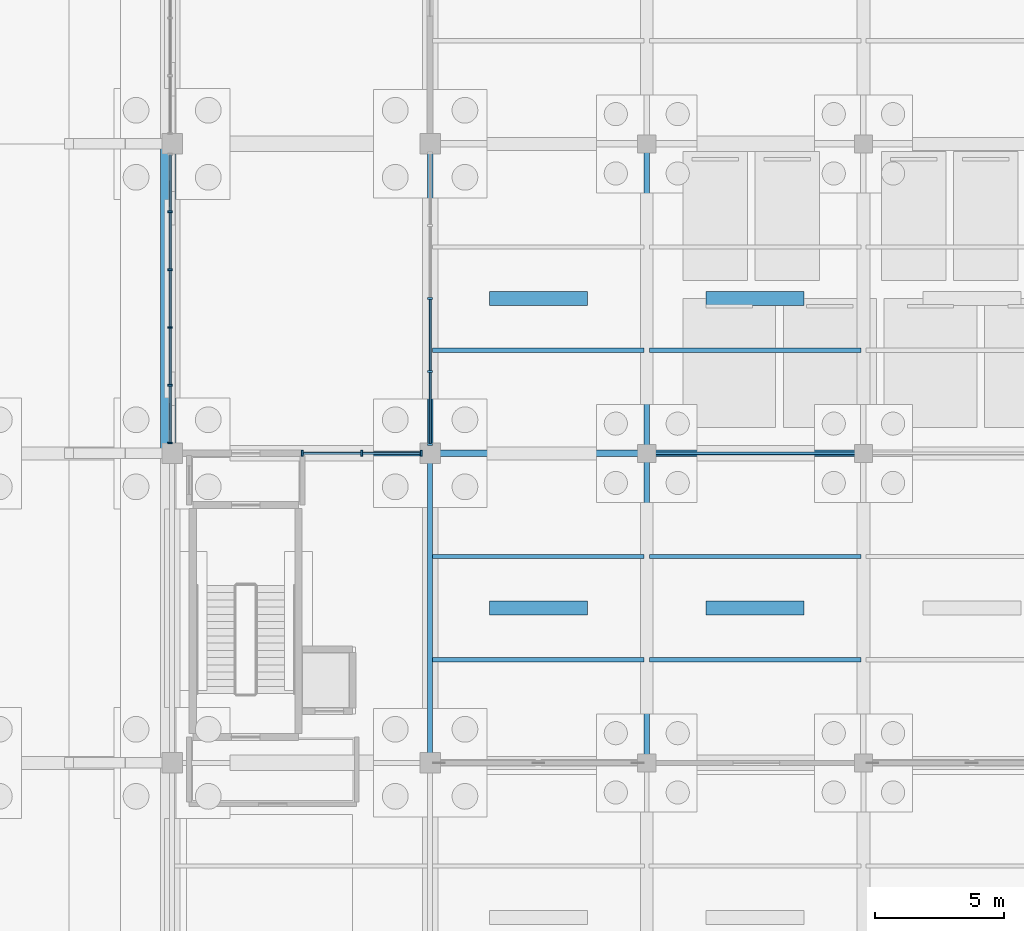
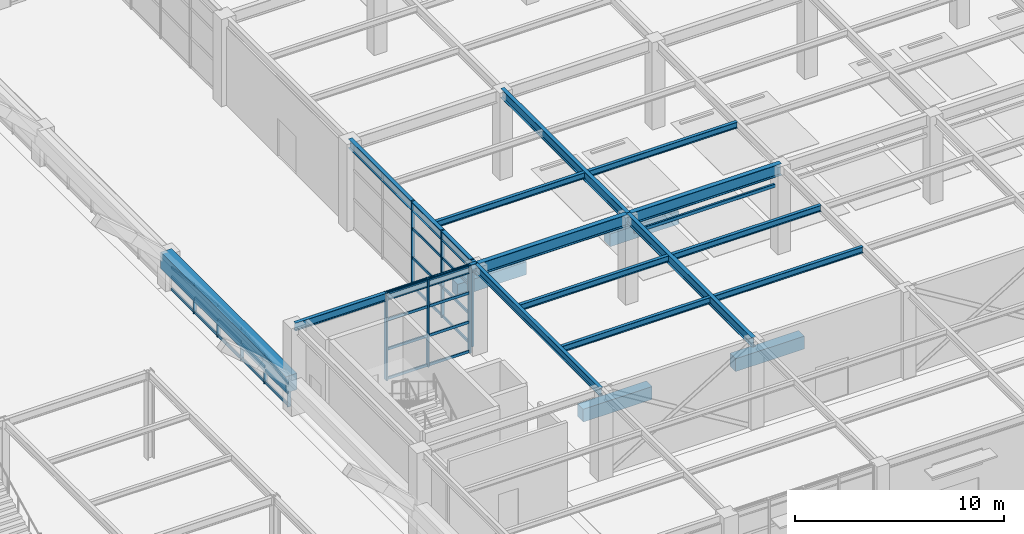
# One storey, part 49 of 129: 42 members, 19 beams, 3 elements without a shape of their own.
"""IFC4 building model written with IfcOpenShell, lengths in metres."""

from ifc_helpers import new_model, si_unit, direction, frame, origin, origin_2d, place, context, subcontext, project, spatial, rectangle, hollow_rectangle, i_section, extrude, material, layer, layer_set, material_profile, profile_set, type_object, element, aggregate, save


model = new_model("IFC4")

# Units and contexts
model_context = context("Model", 3, precision=1e-05, world=origin(), true_north=direction((0.0, 1.0)))
body_context = subcontext(model_context, "Body", "Model", "MODEL_VIEW")
ifc_project = project(units=[si_unit("LENGTHUNIT", "METRE"), si_unit("AREAUNIT", "SQUARE_METRE"), si_unit("VOLUMEUNIT", "CUBIC_METRE"), si_unit("PLANEANGLEUNIT", "RADIAN"), si_unit("MASSUNIT", "GRAM", prefix="KILO")], contexts=[model_context])

# Site, building, storey
site_placement = place(None, origin())
site = spatial("IfcSite", under=ifc_project, at=site_placement, CompositionType="ELEMENT")
building_placement = place(site_placement, origin())
building = spatial("IfcBuilding", under=site, at=building_placement, Name="Sitalva Quay Ferry Terminal", CompositionType="ELEMENT")
storey_placement = place(building_placement, origin())
storey = spatial("IfcBuildingStorey", under=building, at=storey_placement, Name="L01", CompositionType="ELEMENT", Elevation=0.0)

# Beams
ifc_material_1 = material(Name="Concrete C40/50", Category="concrete")
ifc_material_profile_1 = material_profile(ifc_material_1, rectangle(XDim=0.60009765625, YDim=0.949951171875, at=origin_2d()), Name="RC600x950")
ifc_profile_set_1 = profile_set([ifc_material_profile_1], Name="Concrete C40/50")
beam_type_1 = type_object("IfcBeamType", Name="Beam_Edge_RC600x950", PredefinedType="BEAM", material=ifc_profile_set_1)
beam_1_placement = place(storey_placement, frame((73.85009765625, 30.0, 1.625), z_axis=(0.0, 1.0, 0.0), x_axis=(-1.0, 0.0, 0.0)))
element("IfcBeam", 1, at=beam_1_placement, inside=storey, type_object=beam_type_1, Name="Vault V1 longitudinal springing edge beam E bay 3", PredefinedType="BEAM", context=body_context, shape_type="SweptSolid", body=[
    extrude(rectangle(XDim=0.60009765625, YDim=0.949951171875, at=origin_2d()), origin(), (0.0, 0.0, 1.0), 12.0),
])
ifc_material_2 = material(Name="Structural Steel S355JR", Category="steel")
ifc_material_profile_2 = material_profile(ifc_material_2, i_section(OverallWidth=0.19091796875, OverallDepth=0.4599609375, WebThickness=0.010009765625, FlangeThickness=0.01611328125, FilletRadius=0.013916015625, at=origin_2d()), Name="W460x82")
ifc_profile_set_2 = profile_set([ifc_material_profile_2], Name="Structural Steel S355JR")
beam_type_2 = type_object("IfcBeamType", Name="Beam_W460x82", PredefinedType="BEAM", material=ifc_profile_set_2)
beam_2_placement = place(storey_placement, frame((74.0, 30.0, 4.889892578125), z_axis=(1.0, 0.0, 0.0), x_axis=(0.0, 1.0, 0.0)))
element("IfcBeam", 2, at=beam_2_placement, inside=storey, type_object=beam_type_2, Name="L01 Primary X girder 0175", PredefinedType="BEAM", context=body_context, shape_type="SweptSolid", body=[
    extrude(i_section(OverallWidth=0.19091796875, OverallDepth=0.4599609375, WebThickness=0.010009765625, FlangeThickness=0.01611328125, FilletRadius=0.013916015625, at=origin_2d()), origin(), (0.0, 0.0, 1.0), 10.0),
])
beam_3_placement = place(storey_placement, frame((84.0, 18.0, 4.85009765625), z_axis=(0.0, 1.0, 0.0), x_axis=(-1.0, 0.0, 0.0)))
element("IfcBeam", 3, at=beam_3_placement, inside=storey, type_object=beam_type_2, Name="L01 Primary Y girder 0179", PredefinedType="BEAM", context=body_context, shape_type="SweptSolid", body=[
    extrude(i_section(OverallWidth=0.19091796875, OverallDepth=0.4599609375, WebThickness=0.010009765625, FlangeThickness=0.01611328125, FilletRadius=0.013916015625, at=origin_2d()), origin(), (0.0, 0.0, 1.0), 12.0),
])
ifc_material_3 = material(Name="Structural Steel S355JR", Category="steel")
ifc_material_profile_3 = material_profile(ifc_material_3, i_section(OverallWidth=0.2119140625, OverallDepth=0.5439453125, WebThickness=0.01318359375, FlangeThickness=0.021240234375, FilletRadius=0.014892578125, at=origin_2d()), Name="W530x123")
ifc_profile_set_3 = profile_set([ifc_material_profile_3], Name="Structural Steel S355JR")
beam_type_3 = type_object("IfcBeamType", Name="Girder_W530x123", PredefinedType="USERDEFINED", material=ifc_profile_set_3)
for number, where, z_axis, x_axis, name in (
    (4, (84.0, 30.0, 4.80810546875), (0.0, 1.0, 0.0), (-1.0, 0.0, 0.0), "L01 Primary Y girder 0287"),
    (5, (92.39990234375, 18.0, 4.80810546875), (0.0, 1.0, 0.0), (-1.0, 0.0, 0.0), "L01 Primary Y girder 0290"),
    (6, (92.39990234375, 30.0, 4.80810546875), (0.0, 1.0, 0.0), (-1.0, 0.0, 0.0), "L01 Primary Y girder 0291"),
):
    element("IfcBeam", number, at=place(storey_placement, frame(where, z_axis=z_axis, x_axis=x_axis)), inside=storey, type_object=beam_type_3, Name=name, ObjectType="GIRDER", PredefinedType="USERDEFINED", context=body_context, shape_type="SweptSolid", body=[
        extrude(i_section(OverallWidth=0.2119140625, OverallDepth=0.5439453125, WebThickness=0.01318359375, FlangeThickness=0.021240234375, FilletRadius=0.014892578125, at=origin_2d()), origin(), (0.0, 0.0, 1.0), 12.0),
    ])
ifc_material_4 = material(Name="Structural Steel S355JR", Category="steel")
ifc_material_profile_4 = material_profile(ifc_material_4, i_section(OverallWidth=0.256103515625, OverallDepth=0.693115234375, WebThickness=0.014404296875, FlangeThickness=0.023681640625, FilletRadius=0.01806640625, at=origin_2d()), Name="W690x170")
ifc_profile_set_4 = profile_set([ifc_material_profile_4], Name="Structural Steel S355JR")
beam_type_4 = type_object("IfcBeamType", Name="Girder_W690x170", PredefinedType="USERDEFINED", material=ifc_profile_set_4)
beam_4_placement = place(storey_placement, frame((84.0, 30.0, 4.7333984375), z_axis=(1.0, 0.0, 0.0), x_axis=(0.0, 1.0, 0.0)))
element("IfcBeam", 7, at=beam_4_placement, inside=storey, type_object=beam_type_4, Name="L01 Primary X girder 0237", ObjectType="GIRDER", PredefinedType="USERDEFINED", context=body_context, shape_type="SweptSolid", body=[
    extrude(i_section(OverallWidth=0.256103515625, OverallDepth=0.693115234375, WebThickness=0.014404296875, FlangeThickness=0.023681640625, FilletRadius=0.01806640625, at=origin_2d()), origin(), (0.0, 0.0, 1.0), 8.39990234375),
])
beam_5_placement = place(storey_placement, frame((92.39990234375, 30.0, 4.7333984375), z_axis=(1.0, 0.0, 0.0), x_axis=(0.0, 1.0, 0.0)))
element("IfcBeam", 8, at=beam_5_placement, inside=storey, type_object=beam_type_4, Name="L01 Primary X girder 0238", ObjectType="GIRDER", PredefinedType="USERDEFINED", context=body_context, shape_type="SweptSolid", body=[
    extrude(i_section(OverallWidth=0.256103515625, OverallDepth=0.693115234375, WebThickness=0.014404296875, FlangeThickness=0.023681640625, FilletRadius=0.01806640625, at=origin_2d()), origin(), (0.0, 0.0, 1.0), 8.400146484375),
])
ifc_material_5 = material(Name="Structural Steel S355JR", Category="steel")
ifc_material_profile_5 = material_profile(ifc_material_5, i_section(OverallWidth=0.172119140625, OverallDepth=0.35791015625, WebThickness=0.0078125, FlangeThickness=0.01318359375, FilletRadius=0.011962890625, at=origin_2d()), Name="W360x57")
ifc_profile_set_5 = profile_set([ifc_material_profile_5], Name="Structural Steel S355JR")
beam_type_5 = type_object("IfcBeamType", Name="Joist_W360x57", PredefinedType="JOIST", material=ifc_profile_set_5)
for number, where, z_axis, x_axis, name in (
    (9, (84.10009765625, 22.0, 4.90087890625), (1.0, 0.0, 0.0), (0.0, 1.0, 0.0), "L01 Secondary joist 0340"),
    (10, (92.5, 22.0, 4.90087890625), (1.0, 0.0, 0.0), (0.0, 1.0, 0.0), "L01 Secondary joist 0341"),
    (11, (84.10009765625, 26.0, 4.90087890625), (1.0, 0.0, 0.0), (0.0, 1.0, 0.0), "L01 Secondary joist 0349"),
    (12, (92.5, 26.0, 4.90087890625), (1.0, 0.0, 0.0), (0.0, 1.0, 0.0), "L01 Secondary joist 0350"),
    (13, (84.10009765625, 34.0, 4.90087890625), (1.0, 0.0, 0.0), (0.0, 1.0, 0.0), "L01 Secondary joist 0358"),
    (14, (92.5, 34.0, 4.90087890625), (1.0, 0.0, 0.0), (0.0, 1.0, 0.0), "L01 Secondary joist 0359"),
):
    element("IfcBeam", number, at=place(storey_placement, frame(where, z_axis=z_axis, x_axis=x_axis)), inside=storey, type_object=beam_type_5, Name=name, PredefinedType="JOIST", context=body_context, shape_type="SweptSolid", body=[
        extrude(i_section(OverallWidth=0.172119140625, OverallDepth=0.35791015625, WebThickness=0.0078125, FlangeThickness=0.01318359375, FilletRadius=0.011962890625, at=origin_2d()), origin(), (0.0, 0.0, 1.0), 8.199951171875),
    ])
ifc_material_6 = material(Name="Structural Steel S355JR", Category="steel")
ifc_material_profile_6 = material_profile(ifc_material_6, hollow_rectangle(XDim=0.1201171875, YDim=0.199951171875, WallThickness=0.008056640625, InnerFilletRadius=0.008056640625, OuterFilletRadius=0.01611328125, at=origin_2d()), Name="RHS200x120x8")
ifc_profile_set_6 = profile_set([ifc_material_profile_6], Name="Structural Steel S355JR")
beam_type_6 = type_object("IfcBeamType", Name="Lintel_RHS200x120", PredefinedType="LINTEL", material=ifc_profile_set_6)
beam_6_placement = place(storey_placement, frame((92.719970703125, 30.0, 3.85009765625), z_axis=(1.0, 0.0, 0.0), x_axis=(0.0, 1.0, 0.0)))
element("IfcBeam", 15, at=beam_6_placement, inside=storey, type_object=beam_type_6, Name="Ro-Ro clearance portal lintel 01", PredefinedType="LINTEL", context=body_context, shape_type="SweptSolid", body=[
    extrude(hollow_rectangle(XDim=0.1201171875, YDim=0.199951171875, WallThickness=0.008056640625, InnerFilletRadius=0.008056640625, OuterFilletRadius=0.01611328125, at=origin_2d()), origin(), (0.0, 0.0, 1.0), 7.760009765625),
])

# Curtain wall, members
ifc_material_7 = material(Name="Anodised Aluminium & Low-E Glazing", Category="aluminium")
ifc_layer_1 = layer(ifc_material_7, 0.159912109375)
ifc_layer_set_1 = layer_set([ifc_layer_1], Name="Anodised Aluminium & Low-E Glazing")
curtain_wall_type_1 = type_object("IfcCurtainWallType", Name="CW_VaultArch_Glazed", PredefinedType="USERDEFINED", material=ifc_layer_set_1)
curtain_wall_1_placement = place(storey_placement, origin())
curtain_wall_1 = element("IfcCurtainWall", 16, at=curtain_wall_1_placement, inside=storey, type_object=curtain_wall_type_1, Name="V1-E shallow-arch base glazing (CW-L01-030)", ObjectType="CURTAIN_WALL", PredefinedType="USERDEFINED")
ifc_material_8 = material(Name="Anodised Aluminium 6063-T6", Category="aluminium")
ifc_material_profile_7 = material_profile(ifc_material_8, rectangle(XDim=0.070068359375, YDim=0.181884765625, at=origin_2d()), Name="ALU70x182")
ifc_profile_set_7 = profile_set([ifc_material_profile_7], Name="Anodised Aluminium 6063-T6")
member_type_1 = type_object("IfcMemberType", Name="Mullion_Alu_65x170", PredefinedType="MULLION", material=ifc_profile_set_7)
member_1_placement = place(storey_placement, frame((73.919921875, 30.39990234375, 0.0), z_axis=(0.0, 0.0, 1.0), x_axis=(0.0, 1.0, 0.0)))
member_1 = element("IfcMember", 17, at=member_1_placement, type_object=member_type_1, Name="CW-L01-030-M0", PredefinedType="MULLION", context=body_context, shape_type="SweptSolid", body=[
    extrude(rectangle(XDim=0.070068359375, YDim=0.181884765625, at=origin_2d()), origin(), (0.0, 0.0, 1.0), 1.39990234375),
])
member_2_placement = place(storey_placement, frame((73.919921875, 32.639892578125, 0.0), z_axis=(0.0, 0.0, 1.0), x_axis=(0.0, 1.0, 0.0)))
member_2 = element("IfcMember", 18, at=member_2_placement, type_object=member_type_1, Name="CW-L01-030-M1", PredefinedType="MULLION", context=body_context, shape_type="SweptSolid", body=[
    extrude(rectangle(XDim=0.070068359375, YDim=0.181884765625, at=origin_2d()), origin(), (0.0, 0.0, 1.0), 1.707275390625),
])
member_3_placement = place(storey_placement, frame((73.919921875, 34.8798828125, 0.0), z_axis=(0.0, 0.0, 1.0), x_axis=(0.0, 1.0, 0.0)))
member_3 = element("IfcMember", 19, at=member_3_placement, type_object=member_type_1, Name="CW-L01-030-M2", PredefinedType="MULLION", context=body_context, shape_type="SweptSolid", body=[
    extrude(rectangle(XDim=0.070068359375, YDim=0.181884765625, at=origin_2d()), origin(), (0.0, 0.0, 1.0), 1.86083984375),
])
member_4_placement = place(storey_placement, frame((73.919921875, 37.1201171875, 0.0), z_axis=(0.0, 0.0, 1.0), x_axis=(0.0, 1.0, 0.0)))
member_4 = element("IfcMember", 20, at=member_4_placement, type_object=member_type_1, Name="CW-L01-030-M3", PredefinedType="MULLION", context=body_context, shape_type="SweptSolid", body=[
    extrude(rectangle(XDim=0.070068359375, YDim=0.181884765625, at=origin_2d()), origin(), (0.0, 0.0, 1.0), 1.86083984375),
])
member_5_placement = place(storey_placement, frame((73.919921875, 39.360107421875, 0.0), z_axis=(0.0, 0.0, 1.0), x_axis=(0.0, 1.0, 0.0)))
member_5 = element("IfcMember", 21, at=member_5_placement, type_object=member_type_1, Name="CW-L01-030-M4", PredefinedType="MULLION", context=body_context, shape_type="SweptSolid", body=[
    extrude(rectangle(XDim=0.070068359375, YDim=0.181884765625, at=origin_2d()), origin(), (0.0, 0.0, 1.0), 1.707275390625),
])

ifc_material_9 = material(Name="Anodised Aluminium & Low-E Glazing", Category="aluminium")
ifc_layer_2 = layer(ifc_material_9, 0.159912109375)
ifc_layer_set_2 = layer_set([ifc_layer_2], Name="Anodised Aluminium & Low-E Glazing")
curtain_wall_type_2 = type_object("IfcCurtainWallType", Name="CW_Podium_Stick", PredefinedType="USERDEFINED", material=ifc_layer_set_2)
curtain_wall_2_placement = place(storey_placement, origin())
curtain_wall_2 = element("IfcCurtainWall", 22, at=curtain_wall_2_placement, inside=storey, type_object=curtain_wall_type_2, Name="L01 east monsoon court south glazing (CW-L01-074)", ObjectType="CURTAIN_WALL", PredefinedType="USERDEFINED")
ifc_material_10 = material(Name="Anodised Aluminium 6063-T6", Category="aluminium")
ifc_material_profile_8 = material_profile(ifc_material_10, rectangle(XDim=0.074951171875, YDim=0.219970703125, at=origin_2d()), Name="ALU75x220")
ifc_profile_set_8 = profile_set([ifc_material_profile_8], Name="Anodised Aluminium 6063-T6")
member_type_2 = type_object("IfcMemberType", Name="Mullion_Alu_75x160", PredefinedType="MULLION", material=ifc_profile_set_8)
member_6_placement = place(storey_placement, frame((79.050048828125, 30.0, 0.0), z_axis=(0.0, 0.0, 1.0), x_axis=(1.0, 0.0, 0.0)))
member_6 = element("IfcMember", 23, at=member_6_placement, type_object=member_type_2, Name="CW-L01-074-M0", PredefinedType="MULLION", context=body_context, shape_type="SweptSolid", body=[
    extrude(rectangle(XDim=0.074951171875, YDim=0.219970703125, at=origin_2d()), origin(), (0.0, 0.0, 1.0), 5.1201171875),
])
member_7_placement = place(storey_placement, frame((81.35009765625, 30.0, 0.0), z_axis=(0.0, 0.0, 1.0), x_axis=(1.0, 0.0, 0.0)))
member_7 = element("IfcMember", 24, at=member_7_placement, type_object=member_type_2, Name="CW-L01-074-M1", PredefinedType="MULLION", context=body_context, shape_type="SweptSolid", body=[
    extrude(rectangle(XDim=0.074951171875, YDim=0.219970703125, at=origin_2d()), origin(), (0.0, 0.0, 1.0), 5.1201171875),
])
member_8_placement = place(storey_placement, frame((83.64990234375, 30.0, 0.0), z_axis=(0.0, 0.0, 1.0), x_axis=(1.0, 0.0, 0.0)))
member_8 = element("IfcMember", 25, at=member_8_placement, type_object=member_type_2, Name="CW-L01-074-M2", PredefinedType="MULLION", context=body_context, shape_type="SweptSolid", body=[
    extrude(rectangle(XDim=0.074951171875, YDim=0.219970703125, at=origin_2d()), origin(), (0.0, 0.0, 1.0), 5.1201171875),
])

ifc_material_11 = material(Name="Anodised Aluminium & Low-E Glazing", Category="aluminium")
ifc_layer_3 = layer(ifc_material_11, 0.159912109375)
ifc_layer_set_3 = layer_set([ifc_layer_3], Name="Anodised Aluminium & Low-E Glazing")
curtain_wall_type_3 = type_object("IfcCurtainWallType", Name="CW_Coastal_Louvred", PredefinedType="USERDEFINED", material=ifc_layer_set_3)
curtain_wall_3_placement = place(storey_placement, origin())
curtain_wall_3 = element("IfcCurtainWall", 26, at=curtain_wall_3_placement, inside=storey, type_object=curtain_wall_type_3, Name="L01 east court louvred wall (CW-L01-076)", ObjectType="CURTAIN_WALL", PredefinedType="USERDEFINED")
ifc_material_12 = material(Name="Anodised Aluminium 6063-T6", Category="aluminium")
ifc_material_profile_9 = material_profile(ifc_material_12, rectangle(XDim=0.080078125, YDim=0.18505859375, at=origin_2d()), Name="ALU80x185")
ifc_profile_set_9 = profile_set([ifc_material_profile_9], Name="Anodised Aluminium 6063-T6")
member_type_3 = type_object("IfcMemberType", Name="Mullion_Alu_80x185", PredefinedType="MULLION", material=ifc_profile_set_9)
member_9_placement = place(storey_placement, frame((84.0, 30.35009765625, 0.0), z_axis=(0.0, 0.0, 1.0), x_axis=(0.0, 1.0, 0.0)))
member_9 = element("IfcMember", 27, at=member_9_placement, type_object=member_type_3, Name="CW-L01-076-M0", PredefinedType="MULLION", context=body_context, shape_type="SweptSolid", body=[
    extrude(rectangle(XDim=0.080078125, YDim=0.18505859375, at=origin_2d()), origin(), (0.0, 0.0, 1.0), 5.080078125),
])
member_10_placement = place(storey_placement, frame((84.0, 33.175048828125, 0.0), z_axis=(0.0, 0.0, 1.0), x_axis=(0.0, 1.0, 0.0)))
member_10 = element("IfcMember", 28, at=member_10_placement, type_object=member_type_3, Name="CW-L01-076-M1", PredefinedType="MULLION", context=body_context, shape_type="SweptSolid", body=[
    extrude(rectangle(XDim=0.080078125, YDim=0.18505859375, at=origin_2d()), origin(), (0.0, 0.0, 1.0), 5.080078125),
])
member_11_placement = place(storey_placement, frame((84.0, 36.0, 0.0), z_axis=(0.0, 0.0, 1.0), x_axis=(0.0, 1.0, 0.0)))
member_11 = element("IfcMember", 29, at=member_11_placement, type_object=member_type_3, Name="CW-L01-076-M2", PredefinedType="MULLION", context=body_context, shape_type="SweptSolid", body=[
    extrude(rectangle(XDim=0.080078125, YDim=0.18505859375, at=origin_2d()), origin(), (0.0, 0.0, 1.0), 5.080078125),
])

# Beams
ifc_material_13 = material(Name="Concrete C35/45", Category="concrete")
ifc_material_profile_10 = material_profile(ifc_material_13, rectangle(XDim=0.550048828125, YDim=0.75, at=origin_2d()), Name="RC550x750")
ifc_profile_set_10 = profile_set([ifc_material_profile_10], Name="Concrete C35/45")
beam_type_7 = type_object("IfcBeamType", Name="TBeam_Quay_RC550x750", PredefinedType="T_BEAM", material=ifc_profile_set_10)
for number, where, z_axis, x_axis, name in (
    (30, (86.300048828125, 24.0, -0.824951171875), (1.0, 0.0, 0.0), (0.0, 1.0, 0.0), "L01 Ro-Ro quay deck T-beam 0051"),
    (31, (94.699951171875, 24.0, -0.824951171875), (1.0, 0.0, 0.0), (0.0, 1.0, 0.0), "L01 Ro-Ro quay deck T-beam 0052"),
    (32, (86.300048828125, 36.0, -0.824951171875), (1.0, 0.0, 0.0), (0.0, 1.0, 0.0), "L01 Ro-Ro quay deck T-beam 0063"),
    (33, (94.699951171875, 36.0, -0.824951171875), (1.0, 0.0, 0.0), (0.0, 1.0, 0.0), "L01 Ro-Ro quay deck T-beam 0064"),
):
    element("IfcBeam", number, at=place(storey_placement, frame(where, z_axis=z_axis, x_axis=x_axis)), inside=storey, type_object=beam_type_7, Name=name, PredefinedType="T_BEAM", context=body_context, shape_type="SweptSolid", body=[
        extrude(rectangle(XDim=0.550048828125, YDim=0.75, at=origin_2d()), origin(), (0.0, 0.0, 1.0), 3.800048828125),
    ])

# Member
ifc_material_14 = material(Name="Anodised Aluminium 6063-T6", Category="aluminium")
ifc_material_profile_11 = material_profile(ifc_material_14, rectangle(XDim=0.074951171875, YDim=0.155029296875, at=origin_2d()), Name="ALU75x155")
ifc_profile_set_11 = profile_set([ifc_material_profile_11], Name="Anodised Aluminium 6063-T6")
member_type_4 = type_object("IfcMemberType", Name="Transom_Alu_70x135", PredefinedType="MULLION", material=ifc_profile_set_11)
member_12_placement = place(storey_placement, frame((73.919921875, 30.43505859375, 0.077392578125), z_axis=(0.0, 1.0, 0.0), x_axis=(-1.0, 0.0, 0.0)))
member_12 = element("IfcMember", 34, at=member_12_placement, type_object=member_type_4, Name="CW-L01-030-T0-0", ObjectType="TRANSOM", PredefinedType="USERDEFINED", context=body_context, shape_type="SweptSolid", body=[
    extrude(rectangle(XDim=0.074951171875, YDim=0.155029296875, at=origin_2d()), origin(), (0.0, 0.0, 1.0), 2.169921875),
])

member_13_placement = place(storey_placement, frame((73.919921875, 30.43505859375, 0.777587890625), z_axis=(0.0, 1.0, 0.0), x_axis=(-1.0, 0.0, 0.0)))
member_13 = element("IfcMember", 35, at=member_13_placement, type_object=member_type_4, Name="CW-L01-030-T0-1", ObjectType="TRANSOM", PredefinedType="USERDEFINED", context=body_context, shape_type="SweptSolid", body=[
    extrude(rectangle(XDim=0.074951171875, YDim=0.155029296875, at=origin_2d()), origin(), (0.0, 0.0, 1.0), 2.169921875),
])

member_14_placement = place(storey_placement, frame((73.919921875, 30.43505859375, 1.322509765625), z_axis=(0.0, 0.990131365095, 0.140142355681), x_axis=(-1.0, 0.0, 0.0)))
member_14 = element("IfcMember", 36, at=member_14_placement, type_object=member_type_4, Name="CW-L01-030-T0-2", ObjectType="TRANSOM", PredefinedType="USERDEFINED", context=body_context, shape_type="SweptSolid", body=[
    extrude(rectangle(XDim=0.074951171875, YDim=0.155029296875, at=origin_2d()), origin(), (0.0, 0.0, 1.0), 2.191650390625),
])

member_15_placement = place(storey_placement, frame((73.919921875, 32.675048828125, 0.077392578125), z_axis=(0.0, 1.0, 0.0), x_axis=(-1.0, 0.0, 0.0)))
member_15 = element("IfcMember", 37, at=member_15_placement, type_object=member_type_4, Name="CW-L01-030-T1-0", ObjectType="TRANSOM", PredefinedType="USERDEFINED", context=body_context, shape_type="SweptSolid", body=[
    extrude(rectangle(XDim=0.074951171875, YDim=0.155029296875, at=origin_2d()), origin(), (0.0, 0.0, 1.0), 2.169921875),
])

member_16_placement = place(storey_placement, frame((73.919921875, 32.675048828125, 0.93115234375), z_axis=(0.0, 1.0, 0.0), x_axis=(-1.0, 0.0, 0.0)))
member_16 = element("IfcMember", 38, at=member_16_placement, type_object=member_type_4, Name="CW-L01-030-T1-1", ObjectType="TRANSOM", PredefinedType="USERDEFINED", context=body_context, shape_type="SweptSolid", body=[
    extrude(rectangle(XDim=0.074951171875, YDim=0.155029296875, at=origin_2d()), origin(), (0.0, 0.0, 1.0), 2.169921875),
])

member_17_placement = place(storey_placement, frame((73.919921875, 32.675048828125, 1.629638671875), z_axis=(0.0, 0.997505200677, 0.070593021065), x_axis=(-1.0, 0.0, 0.0)))
member_17 = element("IfcMember", 39, at=member_17_placement, type_object=member_type_4, Name="CW-L01-030-T1-2", ObjectType="TRANSOM", PredefinedType="USERDEFINED", context=body_context, shape_type="SweptSolid", body=[
    extrude(rectangle(XDim=0.074951171875, YDim=0.155029296875, at=origin_2d()), origin(), (0.0, 0.0, 1.0), 2.17529296875),
])

member_18_placement = place(storey_placement, frame((73.919921875, 34.9150390625, 0.077392578125), z_axis=(0.0, 1.0, 0.0), x_axis=(-1.0, 0.0, 0.0)))
member_18 = element("IfcMember", 40, at=member_18_placement, type_object=member_type_4, Name="CW-L01-030-T2-0", ObjectType="TRANSOM", PredefinedType="USERDEFINED", context=body_context, shape_type="SweptSolid", body=[
    extrude(rectangle(XDim=0.074951171875, YDim=0.155029296875, at=origin_2d()), origin(), (0.0, 0.0, 1.0), 2.169921875),
])

member_19_placement = place(storey_placement, frame((73.919921875, 34.9150390625, 1.0078125), z_axis=(0.0, 1.0, 0.0), x_axis=(-1.0, 0.0, 0.0)))
member_19 = element("IfcMember", 41, at=member_19_placement, type_object=member_type_4, Name="CW-L01-030-T2-1", ObjectType="TRANSOM", PredefinedType="USERDEFINED", context=body_context, shape_type="SweptSolid", body=[
    extrude(rectangle(XDim=0.074951171875, YDim=0.155029296875, at=origin_2d()), origin(), (0.0, 0.0, 1.0), 2.169921875),
])

member_20_placement = place(storey_placement, frame((73.919921875, 34.9150390625, 1.783203125), z_axis=(0.0, 1.0, 0.0), x_axis=(-1.0, 0.0, 0.0)))
member_20 = element("IfcMember", 42, at=member_20_placement, type_object=member_type_4, Name="CW-L01-030-T2-2", ObjectType="TRANSOM", PredefinedType="USERDEFINED", context=body_context, shape_type="SweptSolid", body=[
    extrude(rectangle(XDim=0.074951171875, YDim=0.155029296875, at=origin_2d()), origin(), (0.0, 0.0, 1.0), 2.169921875),
])

member_21_placement = place(storey_placement, frame((73.919921875, 37.155029296875, 0.077392578125), z_axis=(0.0, 1.0, 0.0), x_axis=(-1.0, 0.0, 0.0)))
member_21 = element("IfcMember", 43, at=member_21_placement, type_object=member_type_4, Name="CW-L01-030-T3-0", ObjectType="TRANSOM", PredefinedType="USERDEFINED", context=body_context, shape_type="SweptSolid", body=[
    extrude(rectangle(XDim=0.074951171875, YDim=0.155029296875, at=origin_2d()), origin(), (0.0, 0.0, 1.0), 2.169921875),
])

member_22_placement = place(storey_placement, frame((73.919921875, 37.155029296875, 0.93115234375), z_axis=(0.0, 1.0, 0.0), x_axis=(-1.0, 0.0, 0.0)))
member_22 = element("IfcMember", 44, at=member_22_placement, type_object=member_type_4, Name="CW-L01-030-T3-1", ObjectType="TRANSOM", PredefinedType="USERDEFINED", context=body_context, shape_type="SweptSolid", body=[
    extrude(rectangle(XDim=0.074951171875, YDim=0.155029296875, at=origin_2d()), origin(), (0.0, 0.0, 1.0), 2.169921875),
])

member_23_placement = place(storey_placement, frame((73.919921875, 37.155029296875, 1.783203125), z_axis=(0.0, 0.997505200677, -0.070593021065), x_axis=(-1.0, 0.0, 0.0)))
member_23 = element("IfcMember", 45, at=member_23_placement, type_object=member_type_4, Name="CW-L01-030-T3-2", ObjectType="TRANSOM", PredefinedType="USERDEFINED", context=body_context, shape_type="SweptSolid", body=[
    extrude(rectangle(XDim=0.074951171875, YDim=0.155029296875, at=origin_2d()), origin(), (0.0, 0.0, 1.0), 2.17529296875),
])

member_24_placement = place(storey_placement, frame((73.919921875, 39.39501953125, 0.077392578125), z_axis=(0.0, 1.0, 0.0), x_axis=(-1.0, 0.0, 0.0)))
member_24 = element("IfcMember", 46, at=member_24_placement, type_object=member_type_4, Name="CW-L01-030-T4-0", ObjectType="TRANSOM", PredefinedType="USERDEFINED", context=body_context, shape_type="SweptSolid", body=[
    extrude(rectangle(XDim=0.074951171875, YDim=0.155029296875, at=origin_2d()), origin(), (0.0, 0.0, 1.0), 2.169921875),
])

member_25_placement = place(storey_placement, frame((73.919921875, 39.39501953125, 0.777587890625), z_axis=(0.0, 1.0, 0.0), x_axis=(-1.0, 0.0, 0.0)))
member_25 = element("IfcMember", 47, at=member_25_placement, type_object=member_type_4, Name="CW-L01-030-T4-1", ObjectType="TRANSOM", PredefinedType="USERDEFINED", context=body_context, shape_type="SweptSolid", body=[
    extrude(rectangle(XDim=0.074951171875, YDim=0.155029296875, at=origin_2d()), origin(), (0.0, 0.0, 1.0), 2.169921875),
])

member_26_placement = place(storey_placement, frame((73.919921875, 39.39501953125, 1.629638671875), z_axis=(0.0, 0.990131365095, -0.140142355681), x_axis=(-1.0, 0.0, 0.0)))
member_26 = element("IfcMember", 48, at=member_26_placement, type_object=member_type_4, Name="CW-L01-030-T4-2", ObjectType="TRANSOM", PredefinedType="USERDEFINED", context=body_context, shape_type="SweptSolid", body=[
    extrude(rectangle(XDim=0.074951171875, YDim=0.155029296875, at=origin_2d()), origin(), (0.0, 0.0, 1.0), 2.191650390625),
])

aggregate(curtain_wall_1, [member_1, member_2, member_3, member_4, member_5, member_12, member_13, member_14, member_15, member_16, member_17, member_18, member_19, member_20, member_21, member_22, member_23, member_24, member_25, member_26])

member_27_placement = place(storey_placement, frame((79.08740234375, 30.0, 0.077392578125), z_axis=(1.0, 0.0, 0.0), x_axis=(0.0, 1.0, 0.0)))
member_27 = element("IfcMember", 49, at=member_27_placement, type_object=member_type_4, Name="CW-L01-074-T0-0", ObjectType="TRANSOM", PredefinedType="USERDEFINED", context=body_context, shape_type="SweptSolid", body=[
    extrude(rectangle(XDim=0.074951171875, YDim=0.155029296875, at=origin_2d()), origin(), (0.0, 0.0, 1.0), 2.22509765625),
])

member_28_placement = place(storey_placement, frame((79.08740234375, 30.0, 1.7841796875), z_axis=(1.0, 0.0, 0.0), x_axis=(0.0, 1.0, 0.0)))
member_28 = element("IfcMember", 50, at=member_28_placement, type_object=member_type_4, Name="CW-L01-074-T0-1", ObjectType="TRANSOM", PredefinedType="USERDEFINED", context=body_context, shape_type="SweptSolid", body=[
    extrude(rectangle(XDim=0.074951171875, YDim=0.155029296875, at=origin_2d()), origin(), (0.0, 0.0, 1.0), 2.22509765625),
])

member_29_placement = place(storey_placement, frame((79.08740234375, 30.0, 3.49072265625), z_axis=(1.0, 0.0, 0.0), x_axis=(0.0, 1.0, 0.0)))
member_29 = element("IfcMember", 51, at=member_29_placement, type_object=member_type_4, Name="CW-L01-074-T0-2", ObjectType="TRANSOM", PredefinedType="USERDEFINED", context=body_context, shape_type="SweptSolid", body=[
    extrude(rectangle(XDim=0.074951171875, YDim=0.155029296875, at=origin_2d()), origin(), (0.0, 0.0, 1.0), 2.22509765625),
])

member_30_placement = place(storey_placement, frame((79.08740234375, 30.0, 5.04248046875), z_axis=(1.0, 0.0, 0.0), x_axis=(0.0, 1.0, 0.0)))
member_30 = element("IfcMember", 52, at=member_30_placement, type_object=member_type_4, Name="CW-L01-074-T0-3", ObjectType="TRANSOM", PredefinedType="USERDEFINED", context=body_context, shape_type="SweptSolid", body=[
    extrude(rectangle(XDim=0.074951171875, YDim=0.155029296875, at=origin_2d()), origin(), (0.0, 0.0, 1.0), 2.22509765625),
])

member_31_placement = place(storey_placement, frame((81.387451171875, 30.0, 0.077392578125), z_axis=(1.0, 0.0, 0.0), x_axis=(0.0, 1.0, 0.0)))
member_31 = element("IfcMember", 53, at=member_31_placement, type_object=member_type_4, Name="CW-L01-074-T1-0", ObjectType="TRANSOM", PredefinedType="USERDEFINED", context=body_context, shape_type="SweptSolid", body=[
    extrude(rectangle(XDim=0.074951171875, YDim=0.155029296875, at=origin_2d()), origin(), (0.0, 0.0, 1.0), 2.22509765625),
])

member_32_placement = place(storey_placement, frame((81.387451171875, 30.0, 1.7841796875), z_axis=(1.0, 0.0, 0.0), x_axis=(0.0, 1.0, 0.0)))
member_32 = element("IfcMember", 54, at=member_32_placement, type_object=member_type_4, Name="CW-L01-074-T1-1", ObjectType="TRANSOM", PredefinedType="USERDEFINED", context=body_context, shape_type="SweptSolid", body=[
    extrude(rectangle(XDim=0.074951171875, YDim=0.155029296875, at=origin_2d()), origin(), (0.0, 0.0, 1.0), 2.22509765625),
])

member_33_placement = place(storey_placement, frame((81.387451171875, 30.0, 3.49072265625), z_axis=(1.0, 0.0, 0.0), x_axis=(0.0, 1.0, 0.0)))
member_33 = element("IfcMember", 55, at=member_33_placement, type_object=member_type_4, Name="CW-L01-074-T1-2", ObjectType="TRANSOM", PredefinedType="USERDEFINED", context=body_context, shape_type="SweptSolid", body=[
    extrude(rectangle(XDim=0.074951171875, YDim=0.155029296875, at=origin_2d()), origin(), (0.0, 0.0, 1.0), 2.22509765625),
])

member_34_placement = place(storey_placement, frame((81.387451171875, 30.0, 5.04248046875), z_axis=(1.0, 0.0, 0.0), x_axis=(0.0, 1.0, 0.0)))
member_34 = element("IfcMember", 56, at=member_34_placement, type_object=member_type_4, Name="CW-L01-074-T1-3", ObjectType="TRANSOM", PredefinedType="USERDEFINED", context=body_context, shape_type="SweptSolid", body=[
    extrude(rectangle(XDim=0.074951171875, YDim=0.155029296875, at=origin_2d()), origin(), (0.0, 0.0, 1.0), 2.22509765625),
])

aggregate(curtain_wall_2, [member_6, member_7, member_8, member_27, member_28, member_29, member_30, member_31, member_32, member_33, member_34])

ifc_material_15 = material(Name="Anodised Aluminium 6063-T6", Category="aluminium")
ifc_material_profile_12 = material_profile(ifc_material_15, rectangle(XDim=0.074951171875, YDim=0.14990234375, at=origin_2d()), Name="ALU75x150")
ifc_profile_set_12 = profile_set([ifc_material_profile_12], Name="Anodised Aluminium 6063-T6")
member_type_5 = type_object("IfcMemberType", Name="Transom_Alu_75x140", PredefinedType="MULLION", material=ifc_profile_set_12)
member_35_placement = place(storey_placement, frame((84.0, 30.389892578125, 0.074951171875), z_axis=(0.0, 1.0, 0.0), x_axis=(-1.0, 0.0, 0.0)))
member_35 = element("IfcMember", 57, at=member_35_placement, type_object=member_type_5, Name="CW-L01-076-T0-0", ObjectType="TRANSOM", PredefinedType="USERDEFINED", context=body_context, shape_type="SweptSolid", body=[
    extrude(rectangle(XDim=0.074951171875, YDim=0.14990234375, at=origin_2d()), origin(), (0.0, 0.0, 1.0), 2.7451171875),
])

member_36_placement = place(storey_placement, frame((84.0, 30.389892578125, 1.768310546875), z_axis=(0.0, 1.0, 0.0), x_axis=(-1.0, 0.0, 0.0)))
member_36 = element("IfcMember", 58, at=member_36_placement, type_object=member_type_5, Name="CW-L01-076-T0-1", ObjectType="TRANSOM", PredefinedType="USERDEFINED", context=body_context, shape_type="SweptSolid", body=[
    extrude(rectangle(XDim=0.074951171875, YDim=0.14990234375, at=origin_2d()), origin(), (0.0, 0.0, 1.0), 2.7451171875),
])

member_37_placement = place(storey_placement, frame((84.0, 30.389892578125, 3.461669921875), z_axis=(0.0, 1.0, 0.0), x_axis=(-1.0, 0.0, 0.0)))
member_37 = element("IfcMember", 59, at=member_37_placement, type_object=member_type_5, Name="CW-L01-076-T0-2", ObjectType="TRANSOM", PredefinedType="USERDEFINED", context=body_context, shape_type="SweptSolid", body=[
    extrude(rectangle(XDim=0.074951171875, YDim=0.14990234375, at=origin_2d()), origin(), (0.0, 0.0, 1.0), 2.7451171875),
])

member_38_placement = place(storey_placement, frame((84.0, 30.389892578125, 5.0048828125), z_axis=(0.0, 1.0, 0.0), x_axis=(-1.0, 0.0, 0.0)))
member_38 = element("IfcMember", 60, at=member_38_placement, type_object=member_type_5, Name="CW-L01-076-T0-3", ObjectType="TRANSOM", PredefinedType="USERDEFINED", context=body_context, shape_type="SweptSolid", body=[
    extrude(rectangle(XDim=0.074951171875, YDim=0.14990234375, at=origin_2d()), origin(), (0.0, 0.0, 1.0), 2.7451171875),
])

member_39_placement = place(storey_placement, frame((84.0, 33.215087890625, 0.074951171875), z_axis=(0.0, 1.0, 0.0), x_axis=(-1.0, 0.0, 0.0)))
member_39 = element("IfcMember", 61, at=member_39_placement, type_object=member_type_5, Name="CW-L01-076-T1-0", ObjectType="TRANSOM", PredefinedType="USERDEFINED", context=body_context, shape_type="SweptSolid", body=[
    extrude(rectangle(XDim=0.074951171875, YDim=0.14990234375, at=origin_2d()), origin(), (0.0, 0.0, 1.0), 2.744873046875),
])

member_40_placement = place(storey_placement, frame((84.0, 33.215087890625, 1.768310546875), z_axis=(0.0, 1.0, 0.0), x_axis=(-1.0, 0.0, 0.0)))
member_40 = element("IfcMember", 62, at=member_40_placement, type_object=member_type_5, Name="CW-L01-076-T1-1", ObjectType="TRANSOM", PredefinedType="USERDEFINED", context=body_context, shape_type="SweptSolid", body=[
    extrude(rectangle(XDim=0.074951171875, YDim=0.14990234375, at=origin_2d()), origin(), (0.0, 0.0, 1.0), 2.744873046875),
])

member_41_placement = place(storey_placement, frame((84.0, 33.215087890625, 3.461669921875), z_axis=(0.0, 1.0, 0.0), x_axis=(-1.0, 0.0, 0.0)))
member_41 = element("IfcMember", 63, at=member_41_placement, type_object=member_type_5, Name="CW-L01-076-T1-2", ObjectType="TRANSOM", PredefinedType="USERDEFINED", context=body_context, shape_type="SweptSolid", body=[
    extrude(rectangle(XDim=0.074951171875, YDim=0.14990234375, at=origin_2d()), origin(), (0.0, 0.0, 1.0), 2.744873046875),
])

member_42_placement = place(storey_placement, frame((84.0, 33.215087890625, 5.0048828125), z_axis=(0.0, 1.0, 0.0), x_axis=(-1.0, 0.0, 0.0)))
member_42 = element("IfcMember", 64, at=member_42_placement, type_object=member_type_5, Name="CW-L01-076-T1-3", ObjectType="TRANSOM", PredefinedType="USERDEFINED", context=body_context, shape_type="SweptSolid", body=[
    extrude(rectangle(XDim=0.074951171875, YDim=0.14990234375, at=origin_2d()), origin(), (0.0, 0.0, 1.0), 2.744873046875),
])

aggregate(curtain_wall_3, [member_9, member_10, member_11, member_35, member_36, member_37, member_38, member_39, member_40, member_41, member_42])

save(model, "model.ifc")
